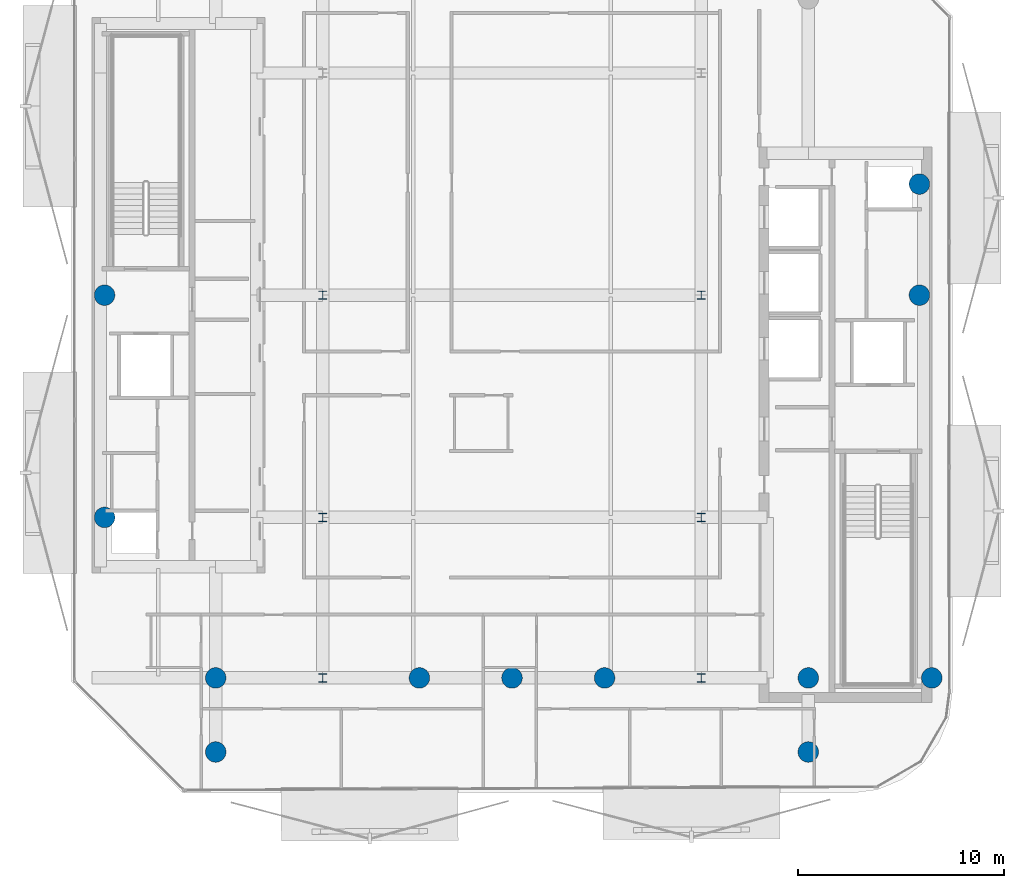
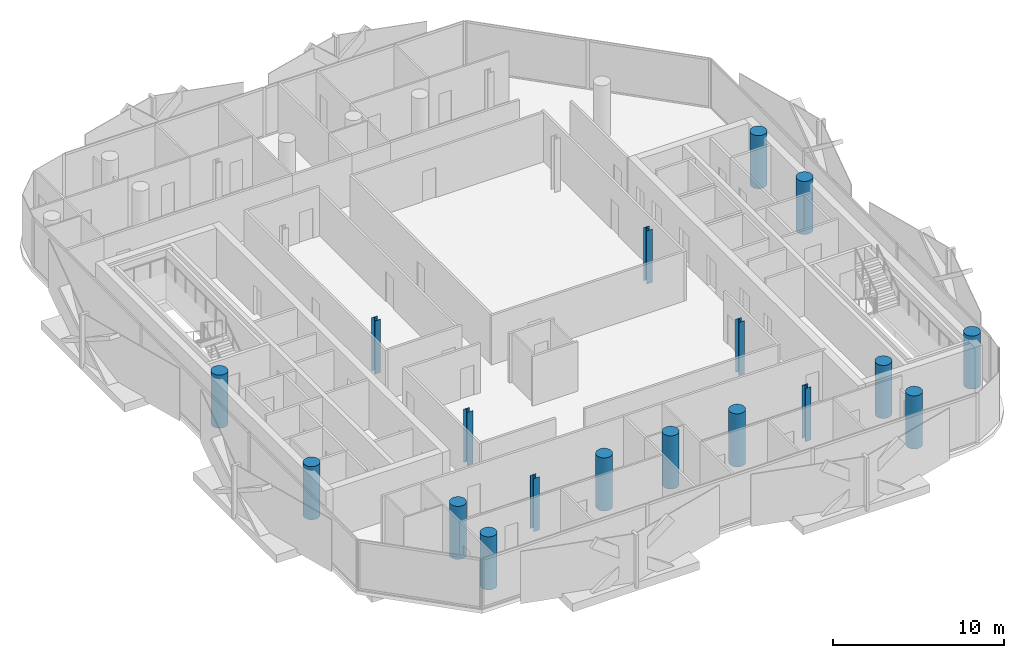
# One storey, part 1 of 16: 18 columns.
"""IFC4 building model written with IfcOpenShell, lengths in metres."""

from ifc_helpers import new_model, si_unit, direction, frame, origin, origin_2d, place, context, subcontext, project, spatial, circle, i_section, extrude, material, material_profile, profile_set, type_object, element, save


model = new_model("IFC4")

# Units and contexts
model_context = context("Model", 3, precision=1e-05, world=origin(), true_north=direction((0.0, 1.0)))
body_context = subcontext(model_context, "Body", "Model", "MODEL_VIEW")
ifc_project = project(units=[si_unit("LENGTHUNIT", "METRE"), si_unit("AREAUNIT", "SQUARE_METRE"), si_unit("VOLUMEUNIT", "CUBIC_METRE"), si_unit("PLANEANGLEUNIT", "RADIAN"), si_unit("MASSUNIT", "GRAM", prefix="KILO")], contexts=[model_context])

# Site, building, storey
site_placement = place(None, origin())
site = spatial("IfcSite", under=ifc_project, at=site_placement, CompositionType="ELEMENT")
building_placement = place(site_placement, origin())
building = spatial("IfcBuilding", under=site, at=building_placement, Name="Khairoan Windgate Tower", CompositionType="ELEMENT")
storey_placement = place(building_placement, frame((0.0, 0.0, 281.39990234375)))
storey = spatial("IfcBuildingStorey", under=building, at=storey_placement, Name="L67", CompositionType="ELEMENT", Elevation=281.39990234375)

# Columns
ifc_material_1 = material(Name="Concrete C60/75", Category="concrete")
ifc_material_profile_1 = material_profile(ifc_material_1, circle(Radius=0.5, at=origin_2d()))
ifc_profile_set_1 = profile_set([ifc_material_profile_1], Name="Concrete C60/75")
column_type_1 = type_object("IfcColumnType", Name="Column C-P1 RC-D1000", PredefinedType="COLUMN", material=ifc_profile_set_1)
for number, where, z_axis, x_axis, name in (
    (1, (20.39990234375, -18.60009765625, 0.0), (0.0, 0.0, 1.0), (1.0, 0.0, 0.0), "Column L67-12"),
    (2, (-14.39990234375, -18.60009765625, 0.0), (0.0, 0.0, 1.0), (1.0, 0.0, 0.0), "Column L67-13"),
    (3, (14.39990234375, -18.60009765625, 0.0), (0.0, 0.0, 1.0), (1.0, 0.0, 0.0), "Column L67-15"),
    (4, (-4.5, -18.60009765625, 0.0), (0.0, 0.0, 1.0), (1.0, 0.0, 0.0), "Column L67-17"),
    (5, (0.0, -18.60009765625, 0.0), (0.0, 0.0, 1.0), (1.0, 0.0, 0.0), "Column L67-18"),
    (6, (4.5, -18.60009765625, 0.0), (0.0, 0.0, 1.0), (1.0, 0.0, 0.0), "Column L67-19"),
    (7, (-19.800048828125, -10.800048828125, 0.0), (0.0, 0.0, 1.0), (1.0, 0.0, 0.0), "Column L67-23"),
    (8, (-19.800048828125, 0.0, 0.0), (0.0, 0.0, 1.0), (1.0, 0.0, 0.0), "Column L67-24"),
    (9, (19.800048828125, 0.0, 0.0), (0.0, 0.0, 1.0), (1.0, 0.0, 0.0), "Column L67-25"),
    (10, (19.800048828125, 5.39990234375, 0.0), (0.0, 0.0, 1.0), (1.0, 0.0, 0.0), "Column L67-26"),
    (11, (-14.39990234375, -22.199951171875, 0.0), (0.0, 0.0, 1.0), (1.0, 0.0, 0.0), "Column L67-27"),
    (12, (14.39990234375, -22.199951171875, 0.0), (0.0, 0.0, 1.0), (1.0, 0.0, 0.0), "Column L67-29"),
):
    element("IfcColumn", number, at=place(storey_placement, frame(where, z_axis=z_axis, x_axis=x_axis)), inside=storey, type_object=column_type_1, Name=name, PredefinedType="COLUMN", context=body_context, shape_type="SweptSolid", body=[
        extrude(circle(Radius=0.5, at=origin_2d()), origin(), (0.0, 0.0, 1.0), 3.800048828125),
    ])
ifc_material_2 = material(Name="Steel S355", Category="steel")
ifc_material_profile_2 = material_profile(ifc_material_2, i_section(OverallWidth=0.39990234375, OverallDepth=0.39990234375, WebThickness=0.012939453125, FlangeThickness=0.02099609375, FilletRadius=0.02197265625, at=origin_2d()))
ifc_profile_set_2 = profile_set([ifc_material_profile_2], Name="Steel S355")
column_type_2 = type_object("IfcColumnType", Name="Steel Column SC4 H400x400x13x21", PredefinedType="COLUMN", material=ifc_profile_set_2)
for number, where, z_axis, x_axis, name in (
    (13, (-9.199951171875, -18.60009765625, 0.0), (0.0, 0.0, 1.0), (1.0, 0.0, 0.0), "Column L67-01"),
    (14, (-9.199951171875, -10.800048828125, 0.0), (0.0, 0.0, 1.0), (1.0, 0.0, 0.0), "Column L67-02"),
    (15, (-9.199951171875, 0.0, 0.0), (0.0, 0.0, 1.0), (1.0, 0.0, 0.0), "Column L67-03"),
    (16, (9.199951171875, -18.60009765625, 0.0), (0.0, 0.0, 1.0), (1.0, 0.0, 0.0), "Column L67-06"),
    (17, (9.199951171875, -10.800048828125, 0.0), (0.0, 0.0, 1.0), (1.0, 0.0, 0.0), "Column L67-07"),
    (18, (9.199951171875, 0.0, 0.0), (0.0, 0.0, 1.0), (1.0, 0.0, 0.0), "Column L67-08"),
):
    element("IfcColumn", number, at=place(storey_placement, frame(where, z_axis=z_axis, x_axis=x_axis)), inside=storey, type_object=column_type_2, Name=name, PredefinedType="COLUMN", context=body_context, shape_type="SweptSolid", body=[
        extrude(i_section(OverallWidth=0.39990234375, OverallDepth=0.39990234375, WebThickness=0.012939453125, FlangeThickness=0.02099609375, FilletRadius=0.02197265625, at=origin_2d()), origin(), (0.0, 0.0, 1.0), 3.800048828125),
    ])

save(model, "model.ifc")
